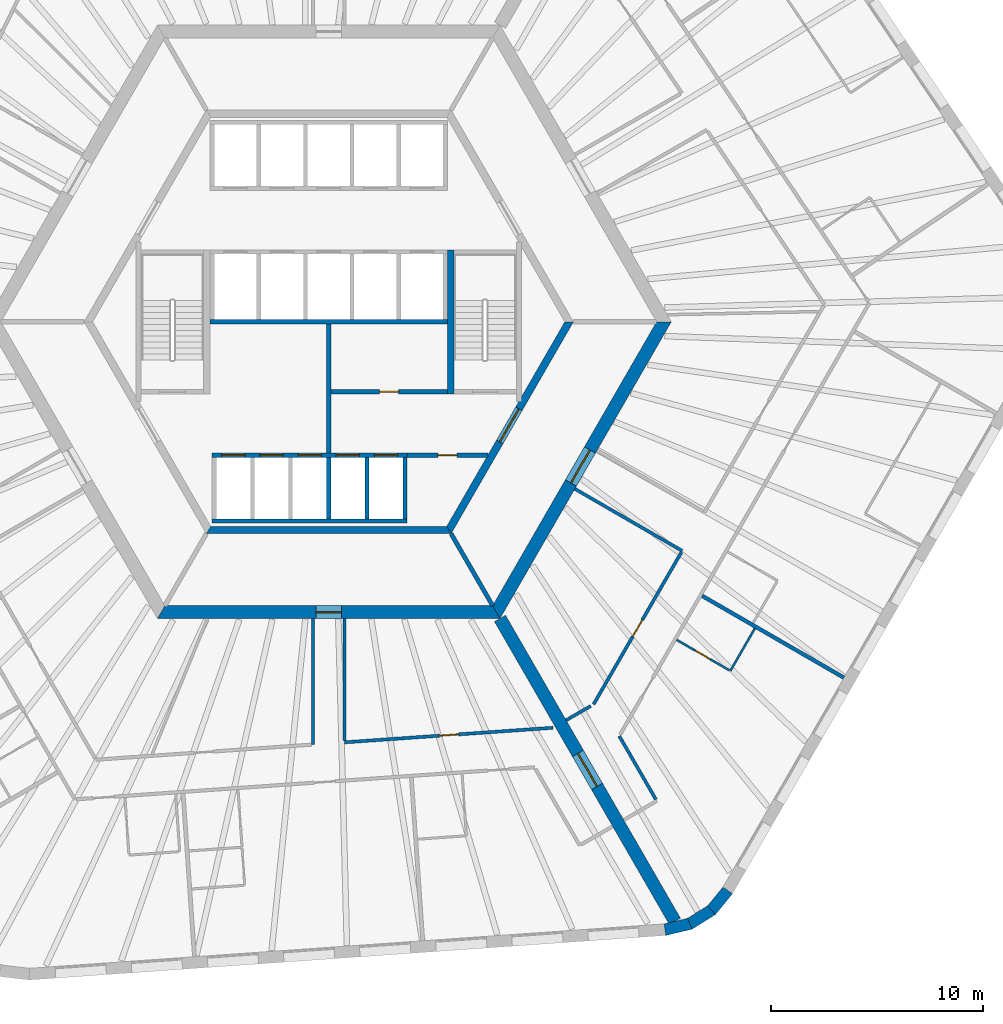
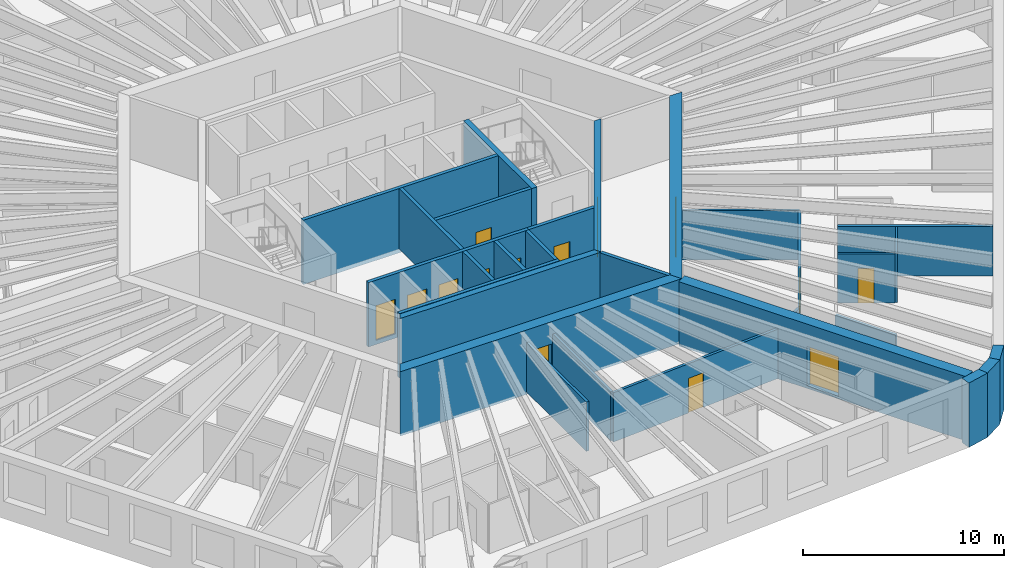
# One storey, part 5 of 12: 29 walls, 14 doors, 14 openings.
"""IFC4 building model written with IfcOpenShell, lengths in metres."""

import ifcopenshell
import ifcopenshell.guid

model = None  # the IFC model being written
_history = None  # IfcOwnerHistory: only IFC2X3 demands one
_inside = {}  # id of a spatial element -> (the spatial element, [elements in it])
_under = {}  # id of a project, library or spatial element -> (it, [spatial elements below it])
_declared = {}  # id of a project -> (the project, [libraries it declares])
_typed = {}  # id of a type object -> (the type object, [elements of that type])
_made_of = {}  # id of a material, layer set ... -> (it, [elements and type objects made of it])


def new_model(schema):
    """Start an empty IFC model of exactly this schema.

    Asked for "IFC4X3", IfcOpenShell would pick the latest addendum, in which some entities
    have other attributes; the version numbers below select the first issue.
    IFC2X3 requires an IfcOwnerHistory on every rooted entity: one is made here for all.
    """
    global model, _history
    if schema == "IFC4X3":
        model = ifcopenshell.file(schema_version=(4, 3, 0, 0))
    else:
        model = ifcopenshell.file(schema=schema)
    _inside.clear()
    _under.clear()
    _declared.clear()
    _typed.clear()
    _made_of.clear()
    _history = None
    if model.schema == "IFC2X3":
        org = make("IfcOrganization", Name="unknown")
        user = make(
            "IfcPersonAndOrganization",
            ThePerson=make("IfcPerson", FamilyName="unknown"),
            TheOrganization=org,
        )
        app = make(
            "IfcApplication",
            ApplicationDeveloper=org,
            Version="unknown",
            ApplicationFullName="unknown",
            ApplicationIdentifier="unknown",
        )
        _history = make(
            "IfcOwnerHistory",
            OwningUser=user,
            OwningApplication=app,
            ChangeAction="ADDED",
            CreationDate=0,
        )
    return model


def make(cls, **values):
    """One entity of the class cls with the attributes given. An attribute that is None is left unset."""
    return model.create_entity(
        cls, **{name: value for name, value in values.items() if value is not None}
    )


def rooted(cls, **values):
    """An entity with a GlobalId (a new one), such as an element, a storey or a relation."""
    return make(cls, GlobalId=ifcopenshell.guid.new(), OwnerHistory=_history, **values)


def si_unit(unit_type, name, prefix=None):
    """IfcSIUnit, for example si_unit("LENGTHUNIT", "METRE", prefix="MILLI")."""
    return make("IfcSIUnit", UnitType=unit_type, Prefix=prefix, Name=name)


def assignment(units):
    """IfcUnitAssignment: the units of a project."""
    return None if units is None else make("IfcUnitAssignment", Units=units)


def point(xyz):
    """IfcCartesianPoint."""
    return None if xyz is None else make("IfcCartesianPoint", Coordinates=xyz)


def direction(xyz):
    """IfcDirection."""
    return None if xyz is None else make("IfcDirection", DirectionRatios=xyz)


def frame(location, z_axis=None, x_axis=None):
    """IfcAxis2Placement3D, a coordinate frame: its origin and axes. An axis left out is left unset."""
    return make(
        "IfcAxis2Placement3D",
        Location=point(location),
        Axis=direction(z_axis),
        RefDirection=direction(x_axis),
    )


def frame_2d(location, x_axis=None):
    """IfcAxis2Placement2D, a coordinate frame in the plane: its origin and x axis."""
    return make(
        "IfcAxis2Placement2D", Location=point(location), RefDirection=direction(x_axis)
    )


def origin():
    """The frame at (0, 0, 0) with its axes left unset."""
    return frame((0.0, 0.0, 0.0))


def place(relative_to, where):
    """IfcLocalPlacement: puts the frame where relative to a parent placement (None: the world)."""
    return make(
        "IfcLocalPlacement", PlacementRelTo=relative_to, RelativePlacement=where
    )


def context(
    kind, dimensions, precision=None, world=None, true_north=None, identifier=None
):
    """IfcGeometricRepresentationContext, for example the 3D "Model" context."""
    return make(
        "IfcGeometricRepresentationContext",
        ContextIdentifier=identifier,
        ContextType=kind,
        CoordinateSpaceDimension=dimensions,
        Precision=precision,
        WorldCoordinateSystem=world,
        TrueNorth=true_north,
    )


def subcontext(parent, identifier, kind, view, scale=None):
    """IfcGeometricRepresentationSubContext, for example "Body" below "Model"."""
    return make(
        "IfcGeometricRepresentationSubContext",
        ContextIdentifier=identifier,
        ContextType=kind,
        ParentContext=parent,
        TargetScale=scale,
        TargetView=view,
    )


def project(units=None, contexts=None):
    """IfcProject with its units and contexts."""
    return rooted(
        "IfcProject",
        Name="project",
        RepresentationContexts=contexts,
        UnitsInContext=assignment(units),
    )


def spatial(cls, under=None, at=None, **own):
    """A site, building, storey or space (cls), placed at a placement, below another one or the project."""
    s = rooted(cls, ObjectPlacement=at, **own)
    if under is not None:
        _under.setdefault(under.id(), (under, []))[1].append(s)
    return s


def polyline(points):
    """IfcPolyline through the points."""
    return make("IfcPolyline", Points=[point(p) for p in points])


def profile(cls, at=None, kind="AREA", **sizes):
    """A parametric profile (cls). Its sizes go by their IFC names, for example OverallWidth=200.0."""
    return make(cls, ProfileType=kind, Position=at, **sizes)


def rectangle(**sizes):
    """IfcRectangleProfileDef."""
    return profile("IfcRectangleProfileDef", **sizes)


def outline(outer, holes=None, kind="AREA"):
    """IfcArbitraryClosedProfileDef: a profile drawn as a closed curve; with holes, ...WithVoids."""
    if holes is None:
        return make("IfcArbitraryClosedProfileDef", ProfileType=kind, OuterCurve=outer)
    return make(
        "IfcArbitraryProfileDefWithVoids",
        ProfileType=kind,
        OuterCurve=outer,
        InnerCurves=holes,
    )


def extrude(swept, where, along, depth):
    """IfcExtrudedAreaSolid: the profile swept, set in the frame where, extruded along a direction by depth."""
    return make(
        "IfcExtrudedAreaSolid",
        SweptArea=swept,
        Position=where,
        ExtrudedDirection=direction(along),
        Depth=depth,
    )


def shape(context_of_items, identifier, shape_type, items):
    """IfcShapeRepresentation: the items that make up one representation, for example the "Body"."""
    return make(
        "IfcShapeRepresentation",
        ContextOfItems=context_of_items,
        RepresentationIdentifier=identifier,
        RepresentationType=shape_type,
        Items=items,
    )


def material(Name=None, Category=None):
    """IfcMaterial."""
    return make("IfcMaterial", Name=Name, Category=Category)


def layer(
    of_material, thickness, ventilated=None, Name=None, Category=None, Priority=None
):
    """IfcMaterialLayer: one layer of a wall or slab, of a material (None: an air gap)."""
    return make(
        "IfcMaterialLayer",
        Material=of_material,
        LayerThickness=thickness,
        IsVentilated=ventilated,
        Name=Name,
        Category=Category,
        Priority=Priority,
    )


def layer_set(layers, Name=None):
    """IfcMaterialLayerSet."""
    return make("IfcMaterialLayerSet", MaterialLayers=layers, LayerSetName=Name)


def made_of(thing, what):
    """Note that an element or type object is made of a material, layer set ...; save() writes the relation."""
    if what is not None:
        _made_of.setdefault(what.id(), (what, []))[1].append(thing)
    return thing


def type_object(cls, material=None, **own):
    """A type object (cls), such as IfcWallType, which elements share."""
    return made_of(rooted(cls, **own), material)


def element(
    cls,
    number,
    at=None,
    inside=None,
    cuts=None,
    type_object=None,
    material=None,
    context=None,
    identifier="Body",
    shape_type=None,
    held_by="IfcProductDefinitionShape",
    body=None,
    shapes=None,
    **own,
):
    """One element of the class cls, such as IfcWall. Its Tag is "e" and its number.

    at: its placement. inside: the storey or other place that contains it. cuts: it is an
    opening in that element (IfcRelVoidsElement). A single representation is given by context,
    identifier, shape_type and body (its items); several are given by shapes. held_by: the class
    of the entity that holds the representations. save() writes the other relations.
    """
    e = rooted(cls, Tag="e%d" % number, ObjectPlacement=at, **own)
    if body is not None:
        shapes = [shape(context, identifier, shape_type, body)]
    if shapes is not None:
        e.Representation = make(held_by, Representations=shapes)
    if inside is not None:
        _inside.setdefault(inside.id(), (inside, []))[1].append(e)
    if cuts is not None:
        rooted(
            "IfcRelVoidsElement", RelatingBuildingElement=cuts, RelatedOpeningElement=e
        )
    if type_object is not None:
        _typed.setdefault(type_object.id(), (type_object, []))[1].append(e)
    return made_of(e, material)


def fill(opening, filler):
    """IfcRelFillsElement: the door or window that sits in an opening."""
    return rooted(
        "IfcRelFillsElement",
        RelatingOpeningElement=opening,
        RelatedBuildingElement=filler,
    )


def aggregate(whole, parts):
    """IfcRelAggregates: a whole, such as a stair, and the parts it consists of."""
    return rooted("IfcRelAggregates", RelatingObject=whole, RelatedObjects=parts)


def save(model, path):
    """Write the relations noted so far, then the file.

    IfcRelAggregates (storeys below a building ...), IfcRelContainedInSpatialStructure (elements
    in a storey), IfcRelDefinesByType, IfcRelAssociatesMaterial and IfcRelDeclares: one each for
    every whole, place, type object, material and project.
    """
    for whole, parts in _under.values():
        aggregate(whole, parts)
    for where, things in _inside.values():
        rooted(
            "IfcRelContainedInSpatialStructure",
            RelatedElements=things,
            RelatingStructure=where,
        )
    for kind, things in _typed.values():
        rooted("IfcRelDefinesByType", RelatedObjects=things, RelatingType=kind)
    for what, things in _made_of.values():
        rooted("IfcRelAssociatesMaterial", RelatedObjects=things, RelatingMaterial=what)
    for by, libraries in _declared.values():
        rooted("IfcRelDeclares", RelatingContext=by, RelatedDefinitions=libraries)
    model.write(path)


model = new_model("IFC4")

# Units and contexts
model_context = context("Model", 3, precision=1e-05, world=origin(), true_north=direction((0.0, 1.0)))
body_context = subcontext(model_context, "Body", "Model", "MODEL_VIEW")
ifc_project = project(units=[si_unit("LENGTHUNIT", "METRE"), si_unit("AREAUNIT", "SQUARE_METRE"), si_unit("VOLUMEUNIT", "CUBIC_METRE"), si_unit("PLANEANGLEUNIT", "RADIAN"), si_unit("MASSUNIT", "GRAM", prefix="KILO")], contexts=[model_context])

# Site, building, storey
site_placement = place(None, origin())
site = spatial("IfcSite", under=ifc_project, at=site_placement, CompositionType="ELEMENT")
building_placement = place(site_placement, origin())
building = spatial("IfcBuilding", under=site, at=building_placement, Name="Tarnside Tower", CompositionType="ELEMENT")
storey_placement = place(building_placement, frame((0.0, 0.0, 84.300048828125)))
storey = spatial("IfcBuildingStorey", under=building, at=storey_placement, Name="L18", CompositionType="ELEMENT", Elevation=84.300048828125)

# Wall
ifc_material_1 = material(Name="Gypsum board partition on steel studs", Category="steel")
ifc_layer_1 = layer(ifc_material_1, 0.10009765625)
ifc_layer_set_1 = layer_set([ifc_layer_1], Name="Bathroom wall 100")
wall_type_1 = type_object("IfcWallType", Name="Bathroom wall 100", PredefinedType="PARTITIONING", material=ifc_layer_set_1)
wall_1_placement = place(storey_placement, frame((20.108154296875, -14.471923828125, 0.0), z_axis=(0.0, 0.0, 1.0), x_axis=(-0.500015210774, -0.866016621662, 0.0)))
element("IfcWall", 1, at=wall_1_placement, inside=storey, type_object=wall_type_1, Name="Bathroom wall 05137", PredefinedType="PARTITIONING", context=body_context, shape_type="SweptSolid", body=[
    extrude(rectangle(XDim=2.31005859375, YDim=0.10009765625, at=frame_2d((1.155029296875, 0.0))), origin(), (0.0, 0.0, 1.0), 2.98779296875),
])

# Wall, opening, door
wall_2_placement = place(storey_placement, frame((18.90966796875, -16.447265625, 0.0), z_axis=(0.0, 0.0, 1.0), x_axis=(-0.866018712932, 0.500011588718, 0.0)))
wall_2 = element("IfcWall", 2, at=wall_2_placement, inside=storey, type_object=wall_type_1, Name="Bathroom wall 05138", PredefinedType="PARTITIONING", context=body_context, shape_type="SweptSolid", body=[
    extrude(rectangle(XDim=2.875, YDim=0.10009765625, at=frame_2d((1.4375, 0.0))), origin(), (0.0, 0.0, 1.0), 2.98779296875),
])
opening_1_placement = place(wall_2_placement, frame((1.050048828125, 0.0, 0.0)))
opening_1 = element("IfcOpeningElement", 3, at=opening_1_placement, cuts=wall_2, Name="Opening D-B1", PredefinedType="OPENING", context=body_context, shape_type="SweptSolid", body=[
    extrude(rectangle(XDim=0.800048828125, YDim=2.10009765625, at=frame_2d((0.39990234375, 1.050048828125))), frame((0.0, 0.06005859375, 0.0), z_axis=(0.0, -1.0, 0.0), x_axis=(1.0, 0.0, 0.0)), (0.0, 0.0, 1.0), 0.1201171875),
])
ifc_material_2 = material(Name="Timber door leaf", Category="wood")
door_type_1 = type_object("IfcDoorType", Name="Bathroom door 800", OperationType="NOTDEFINED", PredefinedType="DOOR", material=ifc_material_2)
door_1_placement = place(opening_1_placement, origin())
door_1 = element("IfcDoor", 4, at=door_1_placement, inside=storey, type_object=door_type_1, Name="Bathroom door 05031", OperationType="SINGLE_SWING_LEFT", OverallHeight=2.10009765625, OverallWidth=0.800048828125, PredefinedType="DOOR", context=body_context, shape_type="SweptSolid", body=[
    extrude(rectangle(XDim=0.800048828125, YDim=2.10009765625, at=frame_2d((0.39990234375, 1.050048828125))), frame((0.0, 0.02490234375, 0.0), z_axis=(0.0, -1.0, 0.0), x_axis=(1.0, 0.0, 0.0)), (0.0, 0.0, 1.0), 0.050048828125),
])
fill(opening_1, door_1)

# Wall
ifc_material_3 = material(Name="Concrete C50/60", Category="concrete")
ifc_layer_2 = layer(ifc_material_3, 0.35009765625)
ifc_layer_set_2 = layer_set([ifc_layer_2], Name="Core block wall 350 C50/60")
wall_type_2 = type_object("IfcWallType", Name="Core block wall 350 C50/60", PredefinedType="SHEAR", material=ifc_layer_set_2)
wall_3_placement = place(storey_placement, frame((-5.672607421875, -9.824951171875, -0.150146484375), z_axis=(0.0, 0.0, 1.0), x_axis=(1.0, 0.0, 0.0)))
element("IfcWall", 5, at=wall_3_placement, inside=storey, type_object=wall_type_2, Name="L18 core block wall face 4", PredefinedType="SHEAR", context=body_context, shape_type="SweptSolid", body=[
    extrude(outline(polyline([(-0.10107421875, -0.175048828125), (11.4462890625, -0.175048828125), (11.244140625, 0.175048828125), (0.10107421875, 0.175048828125), (-0.10107421875, -0.175048828125)])), origin(), (0.0, 0.0, 1.0), 3.900146484375),
])

# Wall, opening, door
wall_4_placement = place(storey_placement, frame((5.672607421875, -9.824951171875, -0.150146484375), z_axis=(0.0, 0.0, 1.0), x_axis=(0.499995046907, 0.866028263435, 0.0)))
wall_4 = element("IfcWall", 6, at=wall_4_placement, inside=storey, type_object=wall_type_2, Name="L18 core block wall face 5", PredefinedType="SHEAR", context=body_context, shape_type="SweptSolid", body=[
    extrude(outline(polyline([(-0.10107421875, -0.175048828125), (11.44580078125, -0.175048828125), (11.24365234375, 0.175048828125), (0.10107421875, 0.175048828125), (-0.10107421875, -0.175048828125)])), origin(), (0.0, 0.0, 1.0), 3.900146484375),
])
opening_2_placement = place(wall_4_placement, frame((4.80126953125, 0.0, 0.14990234375)))
opening_2 = element("IfcOpeningElement", 7, at=opening_2_placement, cuts=wall_4, Name="Opening CD-FFL", PredefinedType="OPENING", context=body_context, shape_type="SweptSolid", body=[
    extrude(rectangle(XDim=1.800048828125, YDim=2.39990234375, at=frame_2d((0.89990234375, 1.199951171875))), frame((0.0, 0.18505859375, 0.0), z_axis=(0.0, -1.0, 0.0), x_axis=(1.0, 0.0, 0.0)), (0.0, 0.0, 1.0), 0.3701171875),
])
ifc_material_4 = material(Name="Steel fire door", Category="steel")
door_type_2 = type_object("IfcDoorType", Name="Firefighting lobby double door FD60S 1800x2400", OperationType="NOTDEFINED", PredefinedType="DOOR", material=ifc_material_4)
door_2_placement = place(opening_2_placement, origin())
door_2 = element("IfcDoor", 8, at=door_2_placement, inside=storey, type_object=door_type_2, Name="L18 lobby block door P4", OperationType="DOUBLE_DOOR_SINGLE_SWING", OverallHeight=2.39990234375, OverallWidth=1.800048828125, PredefinedType="DOOR", context=body_context, shape_type="SweptSolid", body=[
    extrude(rectangle(XDim=1.800048828125, YDim=2.39990234375, at=frame_2d((0.89990234375, 1.199951171875))), frame((0.0, 0.02490234375, 0.0), z_axis=(0.0, -1.0, 0.0), x_axis=(1.0, 0.0, 0.0)), (0.0, 0.0, 1.0), 0.050048828125),
])
fill(opening_2, door_2)

ifc_material_5 = material(Name="Concrete C40/50", Category="concrete")
ifc_layer_3 = layer(ifc_material_5, 0.199951171875)
ifc_layer_set_3 = layer_set([ifc_layer_3], Name="Core room partition 200 C40/50")
wall_type_3 = type_object("IfcWallType", Name="Core room partition 200 C40/50", PredefinedType="PARTITIONING", material=ifc_layer_set_3)
wall_5_placement = place(storey_placement, frame((0.10009765625, -3.300048828125, 0.0), z_axis=(0.0, 0.0, 1.0), x_axis=(1.0, 0.0, 0.0)))
wall_5 = element("IfcWall", 9, at=wall_5_placement, inside=storey, type_object=wall_type_3, Name="L18 core partition R3S1", PredefinedType="PARTITIONING", context=body_context, shape_type="SweptSolid", body=[
    extrude(rectangle(XDim=5.5, YDim=0.199951171875, at=frame_2d((2.75, 0.0))), origin(), (0.0, 0.0, 1.0), 3.64990234375),
])
opening_3_placement = place(wall_5_placement, frame((2.300048828125, 0.0, 0.0)))
opening_3 = element("IfcOpeningElement", 10, at=opening_3_placement, cuts=wall_5, Name="Opening CD-room", PredefinedType="OPENING", context=body_context, shape_type="SweptSolid", body=[
    extrude(rectangle(XDim=0.89990234375, YDim=2.10009765625, at=frame_2d((0.449951171875, 1.050048828125))), frame((0.0, 0.10986328125, 0.0), z_axis=(0.0, -1.0, 0.0), x_axis=(1.0, 0.0, 0.0)), (0.0, 0.0, 1.0), 0.219970703125),
])
door_type_3 = type_object("IfcDoorType", Name="Room door FD60 900x2100", OperationType="NOTDEFINED", PredefinedType="DOOR", material=ifc_material_4)
door_3_placement = place(opening_3_placement, origin())
door_3 = element("IfcDoor", 11, at=door_3_placement, inside=storey, type_object=door_type_3, Name="L18 core room door SR1", OperationType="SINGLE_SWING_LEFT", OverallHeight=2.10009765625, OverallWidth=0.89990234375, PredefinedType="DOOR", context=body_context, shape_type="SweptSolid", body=[
    extrude(rectangle(XDim=0.89990234375, YDim=2.10009765625, at=frame_2d((0.449951171875, 1.050048828125))), frame((0.0, 0.02490234375, 0.0), z_axis=(0.0, -1.0, 0.0), x_axis=(1.0, 0.0, 0.0)), (0.0, 0.0, 1.0), 0.050048828125),
])
fill(opening_3, door_3)

# Wall
wall_6_placement = place(storey_placement, frame((0.0, -6.199951171875, 0.0), z_axis=(0.0, 0.0, 1.0), x_axis=(0.0, 1.0, 0.0)))
element("IfcWall", 12, at=wall_6_placement, inside=storey, type_object=wall_type_3, Name="L18 core partition X0", PredefinedType="PARTITIONING", context=body_context, shape_type="SweptSolid", body=[
    extrude(rectangle(XDim=6.099853515625, YDim=0.199951171875, at=frame_2d((3.0498046875, 0.0))), origin(), (0.0, 0.0, 1.0), 3.64990234375),
])

# Wall, opening, door
wall_7_placement = place(storey_placement, frame((3.699951171875, -6.300048828125, 0.0), z_axis=(0.0, 0.0, 1.0), x_axis=(1.0, 0.0, 0.0)))
wall_7 = element("IfcWall", 13, at=wall_7_placement, inside=storey, type_object=wall_type_3, Name="L18 core partition R4X", PredefinedType="PARTITIONING", context=body_context, shape_type="SweptSolid", body=[
    extrude(rectangle(XDim=3.8056640625, YDim=0.199951171875, at=frame_2d((1.90283203125, 0.0))), origin(), (0.0, 0.0, 1.0), 3.64990234375),
])
opening_4_placement = place(wall_7_placement, frame((1.452880859375, 0.0, 0.0)))
opening_4 = element("IfcOpeningElement", 14, at=opening_4_placement, cuts=wall_7, Name="Opening CD-room", PredefinedType="OPENING", context=body_context, shape_type="SweptSolid", body=[
    extrude(rectangle(XDim=0.89990234375, YDim=2.10009765625, at=frame_2d((0.449951171875, 1.050048828125))), frame((0.0, 0.10986328125, 0.0), z_axis=(0.0, -1.0, 0.0), x_axis=(1.0, 0.0, 0.0)), (0.0, 0.0, 1.0), 0.219970703125),
])
door_4_placement = place(opening_4_placement, origin())
door_4 = element("IfcDoor", 15, at=door_4_placement, inside=storey, type_object=door_type_3, Name="L18 core room door RX", OperationType="SINGLE_SWING_LEFT", OverallHeight=2.10009765625, OverallWidth=0.89990234375, PredefinedType="DOOR", context=body_context, shape_type="SweptSolid", body=[
    extrude(rectangle(XDim=0.89990234375, YDim=2.10009765625, at=frame_2d((0.449951171875, 1.050048828125))), frame((0.0, 0.02490234375, 0.0), z_axis=(0.0, -1.0, 0.0), x_axis=(1.0, 0.0, 0.0)), (0.0, 0.0, 1.0), 0.050048828125),
])
fill(opening_4, door_4)

ifc_material_6 = material(Name="Concrete C80/95", Category="concrete")
ifc_layer_4 = layer(ifc_material_6, 0.60009765625)
ifc_layer_set_4 = layer_set([ifc_layer_4], Name="Core wall Z1 600 C80/95")
wall_type_4 = type_object("IfcWallType", Name="Core wall Z1 600 C80/95", PredefinedType="SHEAR", material=ifc_layer_set_4)
wall_8_placement = place(storey_placement, frame((-7.90966796875, -13.699951171875, -0.150146484375), z_axis=(0.0, 0.0, 1.0), x_axis=(1.0, 0.0, 0.0)))
wall_8 = element("IfcWall", 16, at=wall_8_placement, inside=storey, type_object=wall_type_4, Name="L18 core wall face 4", PredefinedType="SHEAR", context=body_context, shape_type="SweptSolid", body=[
    extrude(outline(polyline([(-0.17333984375, -0.300048828125), (15.99267578125, -0.300048828125), (15.64599609375, 0.300048828125), (0.17333984375, 0.300048828125), (-0.17333984375, -0.300048828125)])), origin(), (0.0, 0.0, 1.0), 3.900146484375),
])
opening_5_placement = place(wall_8_placement, frame((7.309814453125, 0.0, 0.14990234375)))
opening_5 = element("IfcOpeningElement", 17, at=opening_5_placement, cuts=wall_8, Name="Opening CD-RSR", PredefinedType="OPENING", context=body_context, shape_type="SweptSolid", body=[
    extrude(rectangle(XDim=1.199951171875, YDim=2.39990234375, at=frame_2d((0.60009765625, 1.199951171875))), frame((0.0, 0.31005859375, 0.0), z_axis=(0.0, -1.0, 0.0), x_axis=(1.0, 0.0, 0.0)), (0.0, 0.0, 1.0), 0.6201171875),
])
door_type_4 = type_object("IfcDoorType", Name="Riser door FD60 1200x2400", OperationType="NOTDEFINED", PredefinedType="DOOR", material=ifc_material_4)
door_5_placement = place(opening_5_placement, origin())
door_5 = element("IfcDoor", 18, at=door_5_placement, inside=storey, type_object=door_type_4, Name="L18 core door S6", OperationType="SINGLE_SWING_LEFT", OverallHeight=2.39990234375, OverallWidth=1.199951171875, PredefinedType="DOOR", context=body_context, shape_type="SweptSolid", body=[
    extrude(rectangle(XDim=1.199951171875, YDim=2.39990234375, at=frame_2d((0.60009765625, 1.199951171875))), frame((0.0, 0.02490234375, 0.0), z_axis=(0.0, -1.0, 0.0), x_axis=(1.0, 0.0, 0.0)), (0.0, 0.0, 1.0), 0.050048828125),
])
fill(opening_5, door_5)

wall_9_placement = place(storey_placement, frame((7.90966796875, -13.699951171875, -0.150146484375), z_axis=(0.0, 0.0, 1.0), x_axis=(0.499999880136, 0.866025472988, 0.0)))
wall_9 = element("IfcWall", 19, at=wall_9_placement, inside=storey, type_object=wall_type_4, Name="L18 core wall face 5", PredefinedType="SHEAR", context=body_context, shape_type="SweptSolid", body=[
    extrude(outline(polyline([(-0.17333984375, -0.300048828125), (15.99267578125, -0.300048828125), (15.64599609375, 0.300048828125), (0.17333984375, 0.300048828125), (-0.17333984375, -0.300048828125)])), origin(), (0.0, 0.0, 1.0), 3.900146484375),
])
opening_6_placement = place(wall_9_placement, frame((7.03857421875, 0.0, 0.14990234375)))
opening_6 = element("IfcOpeningElement", 20, at=opening_6_placement, cuts=wall_9, Name="Opening CD-FFL", PredefinedType="OPENING", context=body_context, shape_type="SweptSolid", body=[
    extrude(rectangle(XDim=1.800048828125, YDim=2.39990234375, at=frame_2d((0.89990234375, 1.199951171875))), frame((0.0, 0.31005859375, 0.0), z_axis=(0.0, -1.0, 0.0), x_axis=(1.0, 0.0, 0.0)), (0.0, 0.0, 1.0), 0.6201171875),
])
door_6_placement = place(opening_6_placement, origin())
door_6 = element("IfcDoor", 21, at=door_6_placement, inside=storey, type_object=door_type_2, Name="L18 core door P4", OperationType="DOUBLE_DOOR_SINGLE_SWING", OverallHeight=2.39990234375, OverallWidth=1.800048828125, PredefinedType="DOOR", context=body_context, shape_type="SweptSolid", body=[
    extrude(rectangle(XDim=1.800048828125, YDim=2.39990234375, at=frame_2d((0.89990234375, 1.199951171875))), frame((0.0, 0.02490234375, 0.0), z_axis=(0.0, -1.0, 0.0), x_axis=(1.0, 0.0, 0.0)), (0.0, 0.0, 1.0), 0.050048828125),
])
fill(opening_6, door_6)

wall_10_placement = place(storey_placement, frame((8.0830078125, -14.0, -0.150146484375), z_axis=(0.0, 0.0, 1.0), x_axis=(0.499997680643, -0.866026742862, 0.0)))
wall_10 = element("IfcWall", 22, at=wall_10_placement, inside=storey, type_object=wall_type_4, Name="L18 spine wall 3", PredefinedType="SHEAR", context=body_context, shape_type="SweptSolid", body=[
    extrude(rectangle(XDim=16.5087890625, YDim=0.60009765625, at=frame_2d((8.25439453125, 0.0))), origin(), (0.0, 0.0, 1.0), 3.900146484375),
])
opening_7_placement = place(wall_10_placement, frame((7.3544921875, 0.0, 0.14990234375)))
opening_7 = element("IfcOpeningElement", 23, at=opening_7_placement, cuts=wall_10, Name="Opening CD-SPN", PredefinedType="OPENING", context=body_context, shape_type="SweptSolid", body=[
    extrude(rectangle(XDim=1.800048828125, YDim=2.39990234375, at=frame_2d((0.89990234375, 1.199951171875))), frame((0.0, 0.31005859375, 0.0), z_axis=(0.0, -1.0, 0.0), x_axis=(1.0, 0.0, 0.0)), (0.0, 0.0, 1.0), 0.6201171875),
])
door_type_5 = type_object("IfcDoorType", Name="Spine passage double door FD60 1800x2400", OperationType="NOTDEFINED", PredefinedType="DOOR", material=ifc_material_4)
door_7_placement = place(opening_7_placement, origin())
door_7 = element("IfcDoor", 24, at=door_7_placement, inside=storey, type_object=door_type_5, Name="L18 spine passage door 3", OperationType="DOUBLE_DOOR_SINGLE_SWING", OverallHeight=2.39990234375, OverallWidth=1.800048828125, PredefinedType="DOOR", context=body_context, shape_type="SweptSolid", body=[
    extrude(rectangle(XDim=1.800048828125, YDim=2.39990234375, at=frame_2d((0.89990234375, 1.199951171875))), frame((0.0, 0.02490234375, 0.0), z_axis=(0.0, -1.0, 0.0), x_axis=(1.0, 0.0, 0.0)), (0.0, 0.0, 1.0), 0.050048828125),
])
fill(opening_7, door_7)

# Wall
ifc_layer_5 = layer(ifc_material_1, 0.14990234375)
ifc_layer_set_5 = layer_set([ifc_layer_5], Name="Corridor wall 150 EI 60")
wall_type_5 = type_object("IfcWallType", Name="Corridor wall 150 EI 60", PredefinedType="PARTITIONING", material=ifc_layer_set_5)
wall_11_placement = place(storey_placement, frame((-0.75, -14.0, 0.0), z_axis=(0.0, 0.0, 1.0), x_axis=(0.0, -1.0, 0.0)))
element("IfcWall", 25, at=wall_11_placement, inside=storey, type_object=wall_type_5, Name="Corridor wall 05048", PredefinedType="PARTITIONING", context=body_context, shape_type="SweptSolid", body=[
    extrude(rectangle(XDim=5.950927734375, YDim=0.14990234375, at=frame_2d((2.9755859375, 0.0))), origin(), (0.0, 0.0, 1.0), 2.98779296875),
])

# Wall, opening, door
wall_12_placement = place(storey_placement, frame((10.58740234375, -19.158203125, 0.0), z_axis=(0.0, 0.0, 1.0), x_axis=(-0.997565137136, -0.069740928955, 0.0)))
wall_12 = element("IfcWall", 26, at=wall_12_placement, inside=storey, type_object=wall_type_5, Name="Corridor wall 05053", PredefinedType="PARTITIONING", context=body_context, shape_type="SweptSolid", body=[
    extrude(rectangle(XDim=9.861328125, YDim=0.14990234375, at=frame_2d((4.9306640625, 0.0))), origin(), (0.0, 0.0, 1.0), 2.98779296875),
])
opening_8_placement = place(wall_12_placement, frame((4.480712890625, 0.0, 0.0)))
opening_8 = element("IfcOpeningElement", 27, at=opening_8_placement, cuts=wall_12, Name="Opening D-S1", PredefinedType="OPENING", context=body_context, shape_type="SweptSolid", body=[
    extrude(rectangle(XDim=0.89990234375, YDim=2.10009765625, at=frame_2d((0.449951171875, 1.050048828125))), frame((0.0, 0.0849609375, 0.0), z_axis=(0.0, -1.0, 0.0), x_axis=(1.0, 0.0, 0.0)), (0.0, 0.0, 1.0), 0.169921875),
])
door_type_6 = type_object("IfcDoorType", Name="Service room door 900 FD30S", OperationType="NOTDEFINED", PredefinedType="DOOR", material=ifc_material_2)
door_8_placement = place(opening_8_placement, origin())
door_8 = element("IfcDoor", 28, at=door_8_placement, inside=storey, type_object=door_type_6, Name="Service door 05048", OperationType="SINGLE_SWING_RIGHT", OverallHeight=2.10009765625, OverallWidth=0.89990234375, PredefinedType="DOOR", context=body_context, shape_type="SweptSolid", body=[
    extrude(rectangle(XDim=0.89990234375, YDim=2.10009765625, at=frame_2d((0.449951171875, 1.050048828125))), frame((0.0, 0.02490234375, 0.0), z_axis=(0.0, -1.0, 0.0), x_axis=(1.0, 0.0, 0.0)), (0.0, 0.0, 1.0), 0.050048828125),
])
fill(opening_8, door_8)

# Walls
wall_13_placement = place(storey_placement, frame((0.75, -19.770751953125, 0.0), z_axis=(0.0, 0.0, 1.0), x_axis=(0.0, 1.0, 0.0)))
element("IfcWall", 29, at=wall_13_placement, inside=storey, type_object=wall_type_5, Name="Corridor wall 05054", PredefinedType="PARTITIONING", context=body_context, shape_type="SweptSolid", body=[
    extrude(rectangle(XDim=5.770751953125, YDim=0.14990234375, at=frame_2d((2.88525390625, 0.0))), origin(), (0.0, 0.0, 1.0), 2.98779296875),
])
wall_14_placement = place(storey_placement, frame((15.44140625, -22.545166015625, 0.0), z_axis=(0.0, 0.0, 1.0), x_axis=(-0.500003541824, 0.866023358902, 0.0)))
element("IfcWall", 30, at=wall_14_placement, inside=storey, type_object=wall_type_5, Name="Corridor wall 05056", PredefinedType="PARTITIONING", context=body_context, shape_type="SweptSolid", body=[
    extrude(rectangle(XDim=3.45849609375, YDim=0.14990234375, at=frame_2d((1.729248046875, 0.0))), origin(), (0.0, 0.0, 1.0), 2.98779296875),
])
wall_15_placement = place(storey_placement, frame((11.61376953125, -7.88427734375, 0.0), z_axis=(0.0, 0.0, 1.0), x_axis=(0.866018092707, -0.500012662943, 0.0)))
element("IfcWall", 31, at=wall_15_placement, inside=storey, type_object=wall_type_5, Name="Corridor wall 05074", PredefinedType="PARTITIONING", context=body_context, shape_type="SweptSolid", body=[
    extrude(rectangle(XDim=5.849853515625, YDim=0.14990234375, at=frame_2d((2.9248046875, 0.0))), origin(), (0.0, 0.0, 1.0), 2.98779296875),
])

# Wall, opening, door
wall_16_placement = place(storey_placement, frame((16.642578125, -10.874267578125, 0.0), z_axis=(0.0, 0.0, 1.0), x_axis=(-0.50000192383, -0.866024293058, 0.0)))
wall_16 = element("IfcWall", 32, at=wall_16_placement, inside=storey, type_object=wall_type_5, Name="Corridor wall 05075", PredefinedType="PARTITIONING", context=body_context, shape_type="SweptSolid", body=[
    extrude(rectangle(XDim=8.29296875, YDim=0.14990234375, at=frame_2d((4.146484375, 0.0))), origin(), (0.0, 0.0, 1.0), 2.98779296875),
])
opening_9_placement = place(wall_16_placement, frame((3.696533203125, 0.0, 0.0)))
opening_9 = element("IfcOpeningElement", 33, at=opening_9_placement, cuts=wall_16, Name="Opening D-S1", PredefinedType="OPENING", context=body_context, shape_type="SweptSolid", body=[
    extrude(rectangle(XDim=0.89990234375, YDim=2.10009765625, at=frame_2d((0.449951171875, 1.050048828125))), frame((0.0, 0.0849609375, 0.0), z_axis=(0.0, -1.0, 0.0), x_axis=(1.0, 0.0, 0.0)), (0.0, 0.0, 1.0), 0.169921875),
])
door_9_placement = place(opening_9_placement, origin())
door_9 = element("IfcDoor", 34, at=door_9_placement, inside=storey, type_object=door_type_6, Name="Service door 05051", OperationType="SINGLE_SWING_RIGHT", OverallHeight=2.10009765625, OverallWidth=0.89990234375, PredefinedType="DOOR", context=body_context, shape_type="SweptSolid", body=[
    extrude(rectangle(XDim=0.89990234375, YDim=2.10009765625, at=frame_2d((0.449951171875, 1.050048828125))), frame((0.0, 0.02490234375, 0.0), z_axis=(0.0, -1.0, 0.0), x_axis=(1.0, 0.0, 0.0)), (0.0, 0.0, 1.0), 0.050048828125),
])
fill(opening_9, door_9)

# Walls
wall_17_placement = place(storey_placement, frame((12.3662109375, -18.131103515625, 0.0), z_axis=(0.0, 0.0, 1.0), x_axis=(-0.866043397086, -0.499968833392, 0.0)))
element("IfcWall", 35, at=wall_17_placement, inside=storey, type_object=wall_type_5, Name="Corridor wall 05076", PredefinedType="PARTITIONING", context=body_context, shape_type="SweptSolid", body=[
    extrude(rectangle(XDim=1.34375, YDim=0.14990234375, at=frame_2d((0.671875, 0.0))), origin(), (0.0, 0.0, 1.0), 2.98779296875),
])
ifc_layer_6 = layer(ifc_material_1, 0.179931640625)
ifc_layer_set_6 = layer_set([ifc_layer_6], Name="Demising wall 180 EI 60")
wall_type_6 = type_object("IfcWallType", Name="Demising wall 180 EI 60", PredefinedType="PARTITIONING", material=ifc_layer_set_6)
wall_18_placement = place(storey_placement, frame((24.31005859375, -16.7939453125, 0.0), z_axis=(0.0, 0.0, 1.0), x_axis=(-0.866027174938, 0.499996932259, 0.0)))
element("IfcWall", 36, at=wall_18_placement, inside=storey, type_object=wall_type_6, Name="Demising wall 05139", PredefinedType="PARTITIONING", context=body_context, shape_type="SweptSolid", body=[
    extrude(rectangle(XDim=7.72509765625, YDim=0.179931640625, at=frame_2d((3.862548828125, 0.0))), origin(), (0.0, 0.0, 1.0), 2.98779296875),
])
ifc_layer_7 = layer(ifc_material_5, 0.199951171875)
ifc_layer_set_7 = layer_set([ifc_layer_7], Name="Lift shaft wall 200 C40/50")
wall_type_7 = type_object("IfcWallType", Name="Lift shaft wall 200 C40/50", PredefinedType="SHEAR", material=ifc_layer_set_7)
wall_19_placement = place(storey_placement, frame((-5.60009765625, 0.0, -0.25), z_axis=(0.0, 0.0, 1.0), x_axis=(1.0, 0.0, 0.0)))
element("IfcWall", 37, at=wall_19_placement, inside=storey, type_object=wall_type_7, Name="L18 lift shaft back wall R2", PredefinedType="SHEAR", context=body_context, shape_type="SweptSolid", body=[
    extrude(rectangle(XDim=11.2001953125, YDim=0.199951171875, at=frame_2d((5.60009765625, 0.0))), origin(), (0.0, 0.0, 1.0), 3.89990234375),
])

# Wall, openings, doors
wall_20_placement = place(storey_placement, frame((-5.5, -6.300048828125, -0.25), z_axis=(0.0, 0.0, 1.0), x_axis=(1.0, 0.0, 0.0)))
wall_20 = element("IfcWall", 38, at=wall_20_placement, inside=storey, type_object=wall_type_7, Name="L18 lift shaft front wall R4", PredefinedType="SHEAR", context=body_context, shape_type="SweptSolid", body=[
    extrude(rectangle(XDim=9.199951171875, YDim=0.199951171875, at=frame_2d((4.60009765625, 0.0))), origin(), (0.0, 0.0, 1.0), 3.89990234375),
])
opening_10_placement = place(wall_20_placement, frame((0.449951171875, 0.0, 0.25)))
opening_10 = element("IfcOpeningElement", 39, at=opening_10_placement, cuts=wall_20, Name="Opening LDF", PredefinedType="OPENING", context=body_context, shape_type="SweptSolid", body=[
    extrude(rectangle(XDim=1.10009765625, YDim=2.10009765625, at=frame_2d((0.550048828125, 1.050048828125))), frame((0.0, 0.10986328125, 0.0), z_axis=(0.0, -1.0, 0.0), x_axis=(1.0, 0.0, 0.0)), (0.0, 0.0, 1.0), 0.219970703125),
])
opening_11_placement = place(wall_20_placement, frame((2.25, 0.0, 0.25)))
opening_11 = element("IfcOpeningElement", 40, at=opening_11_placement, cuts=wall_20, Name="Opening LDF", PredefinedType="OPENING", context=body_context, shape_type="SweptSolid", body=[
    extrude(rectangle(XDim=1.10009765625, YDim=2.10009765625, at=frame_2d((0.550048828125, 1.050048828125))), frame((0.0, 0.10986328125, 0.0), z_axis=(0.0, -1.0, 0.0), x_axis=(1.0, 0.0, 0.0)), (0.0, 0.0, 1.0), 0.219970703125),
])
opening_12_placement = place(wall_20_placement, frame((4.050048828125, 0.0, 0.25)))
opening_12 = element("IfcOpeningElement", 41, at=opening_12_placement, cuts=wall_20, Name="Opening LDF", PredefinedType="OPENING", context=body_context, shape_type="SweptSolid", body=[
    extrude(rectangle(XDim=1.10009765625, YDim=2.10009765625, at=frame_2d((0.550048828125, 1.050048828125))), frame((0.0, 0.10986328125, 0.0), z_axis=(0.0, -1.0, 0.0), x_axis=(1.0, 0.0, 0.0)), (0.0, 0.0, 1.0), 0.219970703125),
])
opening_13_placement = place(wall_20_placement, frame((5.85009765625, 0.0, 0.25)))
opening_13 = element("IfcOpeningElement", 42, at=opening_13_placement, cuts=wall_20, Name="Opening LDF", PredefinedType="OPENING", context=body_context, shape_type="SweptSolid", body=[
    extrude(rectangle(XDim=1.10009765625, YDim=2.10009765625, at=frame_2d((0.550048828125, 1.050048828125))), frame((0.0, 0.10986328125, 0.0), z_axis=(0.0, -1.0, 0.0), x_axis=(1.0, 0.0, 0.0)), (0.0, 0.0, 1.0), 0.219970703125),
])
opening_14_placement = place(wall_20_placement, frame((7.64990234375, 0.0, 0.25)))
opening_14 = element("IfcOpeningElement", 43, at=opening_14_placement, cuts=wall_20, Name="Opening LDF", PredefinedType="OPENING", context=body_context, shape_type="SweptSolid", body=[
    extrude(rectangle(XDim=1.10009765625, YDim=2.10009765625, at=frame_2d((0.550048828125, 1.050048828125))), frame((0.0, 0.10986328125, 0.0), z_axis=(0.0, -1.0, 0.0), x_axis=(1.0, 0.0, 0.0)), (0.0, 0.0, 1.0), 0.219970703125),
])
ifc_material_7 = material(Name="Stainless steel", Category="steel")
door_type_7 = type_object("IfcDoorType", Name="Lift landing door 1100x2100 EI 120", OperationType="NOTDEFINED", PredefinedType="DOOR", material=ifc_material_7)
door_10_placement = place(opening_10_placement, origin())
door_10 = element("IfcDoor", 44, at=door_10_placement, inside=storey, type_object=door_type_7, Name="Firefighting lift 1 landing door L18", OperationType="SLIDING_TO_LEFT", OverallHeight=2.10009765625, OverallWidth=1.10009765625, PredefinedType="DOOR", context=body_context, shape_type="SweptSolid", body=[
    extrude(rectangle(XDim=1.10009765625, YDim=2.10009765625, at=frame_2d((0.550048828125, 1.050048828125))), frame((0.0, 0.02490234375, 0.0), z_axis=(0.0, -1.0, 0.0), x_axis=(1.0, 0.0, 0.0)), (0.0, 0.0, 1.0), 0.050048828125),
])
fill(opening_10, door_10)
door_11_placement = place(opening_11_placement, origin())
door_11 = element("IfcDoor", 45, at=door_11_placement, inside=storey, type_object=door_type_7, Name="Firefighting lift 2 landing door L18", OperationType="SLIDING_TO_LEFT", OverallHeight=2.10009765625, OverallWidth=1.10009765625, PredefinedType="DOOR", context=body_context, shape_type="SweptSolid", body=[
    extrude(rectangle(XDim=1.10009765625, YDim=2.10009765625, at=frame_2d((0.550048828125, 1.050048828125))), frame((0.0, 0.02490234375, 0.0), z_axis=(0.0, -1.0, 0.0), x_axis=(1.0, 0.0, 0.0)), (0.0, 0.0, 1.0), 0.050048828125),
])
fill(opening_11, door_11)
door_12_placement = place(opening_12_placement, origin())
door_12 = element("IfcDoor", 46, at=door_12_placement, inside=storey, type_object=door_type_7, Name="Firefighting lift 3 landing door L18", OperationType="SLIDING_TO_LEFT", OverallHeight=2.10009765625, OverallWidth=1.10009765625, PredefinedType="DOOR", context=body_context, shape_type="SweptSolid", body=[
    extrude(rectangle(XDim=1.10009765625, YDim=2.10009765625, at=frame_2d((0.550048828125, 1.050048828125))), frame((0.0, 0.02490234375, 0.0), z_axis=(0.0, -1.0, 0.0), x_axis=(1.0, 0.0, 0.0)), (0.0, 0.0, 1.0), 0.050048828125),
])
fill(opening_12, door_12)
door_13_placement = place(opening_13_placement, origin())
door_13 = element("IfcDoor", 47, at=door_13_placement, inside=storey, type_object=door_type_7, Name="Firefighting lift 4 landing door L18", OperationType="SLIDING_TO_LEFT", OverallHeight=2.10009765625, OverallWidth=1.10009765625, PredefinedType="DOOR", context=body_context, shape_type="SweptSolid", body=[
    extrude(rectangle(XDim=1.10009765625, YDim=2.10009765625, at=frame_2d((0.550048828125, 1.050048828125))), frame((0.0, 0.02490234375, 0.0), z_axis=(0.0, -1.0, 0.0), x_axis=(1.0, 0.0, 0.0)), (0.0, 0.0, 1.0), 0.050048828125),
])
fill(opening_13, door_13)
door_14_placement = place(opening_14_placement, origin())
door_14 = element("IfcDoor", 48, at=door_14_placement, inside=storey, type_object=door_type_7, Name="Firefighting lift 5 landing door L18", OperationType="SLIDING_TO_LEFT", OverallHeight=2.10009765625, OverallWidth=1.10009765625, PredefinedType="DOOR", context=body_context, shape_type="SweptSolid", body=[
    extrude(rectangle(XDim=1.10009765625, YDim=2.10009765625, at=frame_2d((0.550048828125, 1.050048828125))), frame((0.0, 0.02490234375, 0.0), z_axis=(0.0, -1.0, 0.0), x_axis=(1.0, 0.0, 0.0)), (0.0, 0.0, 1.0), 0.050048828125),
])
fill(opening_14, door_14)

# Walls
wall_21_placement = place(storey_placement, frame((-5.5, -9.39990234375, -0.25), z_axis=(0.0, 0.0, 1.0), x_axis=(1.0, 0.0, 0.0)))
element("IfcWall", 49, at=wall_21_placement, inside=storey, type_object=wall_type_7, Name="L18 lift shaft back wall R4", PredefinedType="SHEAR", context=body_context, shape_type="SweptSolid", body=[
    extrude(rectangle(XDim=9.199951171875, YDim=0.199951171875, at=frame_2d((4.60009765625, 0.0))), origin(), (0.0, 0.0, 1.0), 3.89990234375),
])
for number, where, z_axis, x_axis, name in (
    (50, (0.0, -9.300048828125, -0.25), (0.0, 0.0, 1.0), (0.0, 1.0, 0.0), "L18 lift shaft partition R44"),
    (51, (1.800048828125, -9.300048828125, -0.25), (0.0, 0.0, 1.0), (0.0, 1.0, 0.0), "L18 lift shaft partition R45"),
    (52, (3.60009765625, -9.300048828125, -0.25), (0.0, 0.0, 1.0), (0.0, 1.0, 0.0), "L18 lift shaft partition R46"),
):
    element("IfcWall", number, at=place(storey_placement, frame(where, z_axis=z_axis, x_axis=x_axis)), inside=storey, type_object=wall_type_7, Name=name, PredefinedType="SHEAR", context=body_context, shape_type="SweptSolid", body=[
        extrude(rectangle(XDim=2.900146484375, YDim=0.199951171875, at=frame_2d((1.4501953125, 0.0))), origin(), (0.0, 0.0, 1.0), 3.89990234375),
    ])
wall_22_placement = place(storey_placement, frame((5.7734375, -10.0, -0.150146484375), z_axis=(0.0, 0.0, 1.0), x_axis=(0.500038251005, -0.86600331843, 0.0)))
element("IfcWall", 53, at=wall_22_placement, inside=storey, type_object=wall_type_7, Name="L18 core partition AR300", PredefinedType="SHEAR", context=body_context, shape_type="SweptSolid", body=[
    extrude(rectangle(XDim=3.926025390625, YDim=0.199951171875, at=frame_2d((1.962890625, 0.0))), origin(), (0.0, 0.0, 1.0), 3.900146484375),
])
ifc_layer_8 = layer(ifc_material_5, 0.300048828125)
ifc_layer_set_8 = layer_set([ifc_layer_8], Name="Stair enclosure wall 300 C40/50")
wall_type_8 = type_object("IfcWallType", Name="Stair enclosure wall 300 C40/50", PredefinedType="SHEAR", material=ifc_layer_set_8)
wall_23_placement = place(storey_placement, frame((5.75, -3.39990234375, -0.25), z_axis=(0.0, 0.0, 1.0), x_axis=(0.0, 1.0, 0.0)))
element("IfcWall", 54, at=wall_23_placement, inside=storey, type_object=wall_type_8, Name="L18 stair 1 enclosure wall inner", PredefinedType="SHEAR", context=body_context, shape_type="SweptSolid", body=[
    extrude(rectangle(XDim=6.7998046875, YDim=0.300048828125, at=frame_2d((3.39990234375, 0.0))), origin(), (0.0, 0.0, 1.0), 3.89990234375),
])
ifc_material_8 = material(Name="Facing brick", Category="masonry")
ifc_layer_9 = layer(ifc_material_8, 0.10205078125)
ifc_material_9 = material(Name="Concrete C60/75 precast", Category="concrete")
ifc_layer_10 = layer(ifc_material_9, 0.347900390625)
ifc_material_10 = material(Name="Mineral wool insulation")
ifc_layer_11 = layer(ifc_material_10, 0.10009765625)
ifc_layer_set_9 = layer_set([ifc_layer_9, ifc_layer_10, ifc_layer_11], Name="Tube wall 550 brick faced")
wall_type_9 = type_object("IfcWallType", Name="Tube wall 550 brick faced", PredefinedType="SOLIDWALL", material=ifc_layer_set_9)
wall_24_placement = place(storey_placement, frame((15.8642578125, -28.688232421875, -0.150146484375), z_axis=(0.0, 0.0, 1.0), x_axis=(0.973063591128, 0.230536868247, 0.0)))
element("IfcWall", 55, at=wall_24_placement, inside=storey, type_object=wall_type_9, Name="Tube wall L18 F4 chord 13", PredefinedType="SOLIDWALL", context=body_context, shape_type="SweptSolid", body=[
    extrude(outline(polyline([(-0.0224609375, -0.27490234375), (1.25341796875, -0.27490234375), (1.1630859375, 0.27490234375), (0.0224609375, 0.27490234375), (-0.0224609375, -0.27490234375)])), origin(), (0.0, 0.0, 1.0), 3.900146484375),
])
wall_25_placement = place(storey_placement, frame((17.0400390625, -28.40966796875, -0.150146484375), z_axis=(0.0, 0.0, 1.0), x_axis=(0.847952888306, 0.530071598195, 0.0)))
element("IfcWall", 56, at=wall_25_placement, inside=storey, type_object=wall_type_9, Name="Tube wall L18 F4 chord 14", PredefinedType="SOLIDWALL", context=body_context, shape_type="SweptSolid", body=[
    extrude(outline(polyline([(-0.045166015625, -0.27490234375), (1.253173828125, -0.27490234375), (1.162841796875, 0.27490234375), (0.045166015625, 0.27490234375), (-0.045166015625, -0.27490234375)])), origin(), (0.0, 0.0, 1.0), 3.900146484375),
])
wall_26_placement = place(storey_placement, frame((18.064453125, -27.769287109375, -0.150146484375), z_axis=(0.0, 0.0, 1.0), x_axis=(0.633842757806, 0.773461930787, 0.0)))
element("IfcWall", 57, at=wall_26_placement, inside=storey, type_object=wall_type_9, Name="Tube wall L18 F4 chord 15", PredefinedType="SOLIDWALL", context=body_context, shape_type="SweptSolid", body=[
    extrude(outline(polyline([(-0.045166015625, -0.27490234375), (1.230712890625, -0.27490234375), (1.185791015625, 0.27490234375), (0.045166015625, 0.27490234375), (-0.045166015625, -0.27490234375)])), origin(), (0.0, 0.0, 1.0), 3.900146484375),
])

save(model, "model.ifc")
